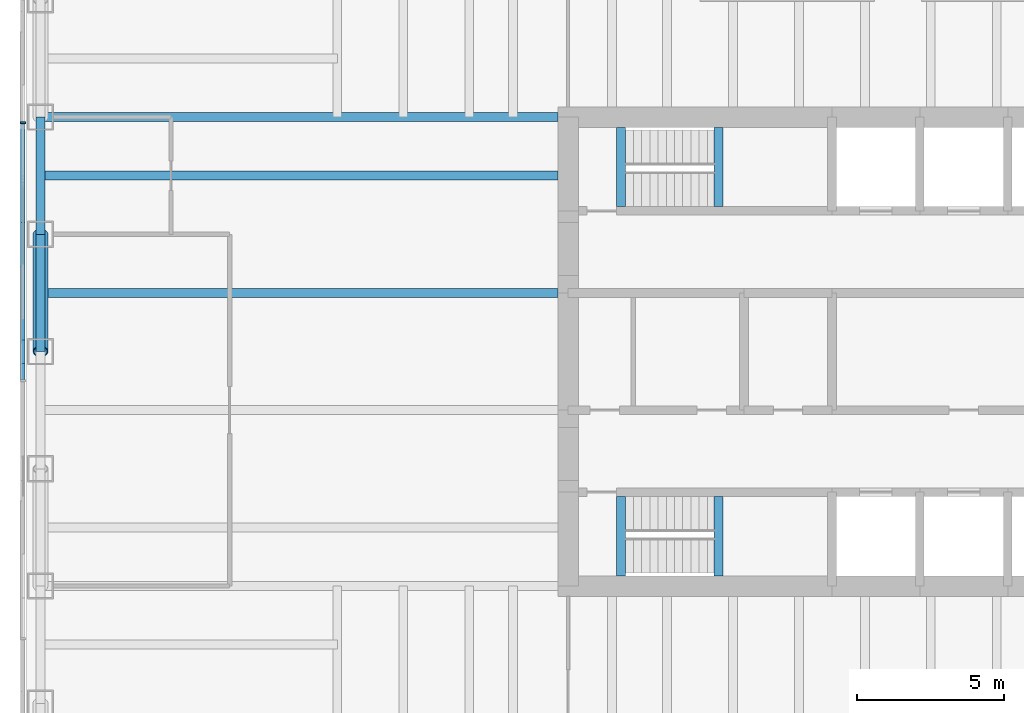
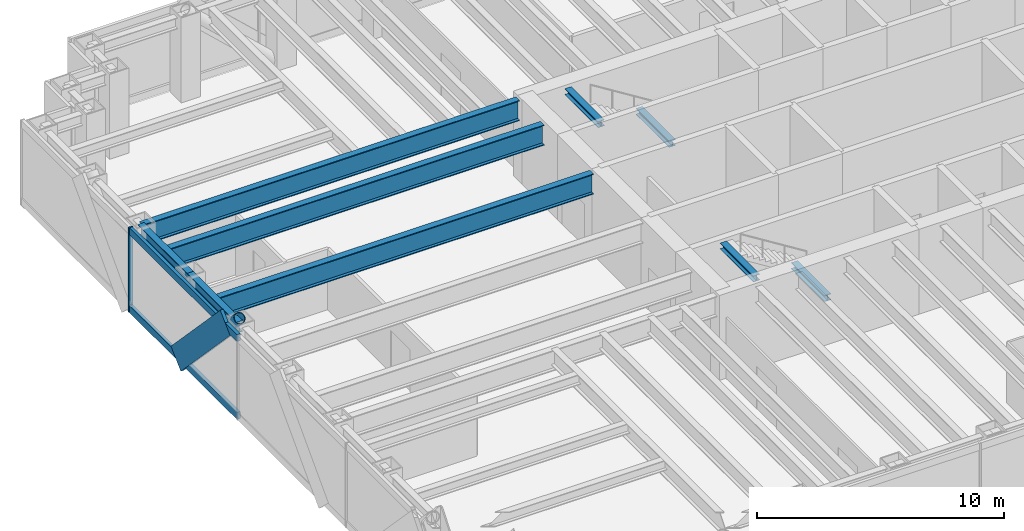
# One storey, part 3 of 15: 9 beams, 5 members, 1 element without a shape of its own.
"""IFC4 building model written with IfcOpenShell, lengths in metres."""

from ifc_helpers import new_model, si_unit, direction, frame, origin, origin_2d, place, context, subcontext, project, spatial, rectangle, hollow_circle, i_section, extrude, material, material_profile, profile_set, type_object, element, aggregate, save


model = new_model("IFC4")

# Units and contexts
model_context = context("Model", 3, precision=1e-05, world=origin(), true_north=direction((0.0, 1.0)))
body_context = subcontext(model_context, "Body", "Model", "MODEL_VIEW")
ifc_project = project(units=[si_unit("LENGTHUNIT", "METRE"), si_unit("AREAUNIT", "SQUARE_METRE"), si_unit("VOLUMEUNIT", "CUBIC_METRE"), si_unit("PLANEANGLEUNIT", "RADIAN"), si_unit("MASSUNIT", "GRAM", prefix="KILO")], contexts=[model_context])

# Site, building, storey
site_placement = place(None, origin())
site = spatial("IfcSite", under=ifc_project, at=site_placement, CompositionType="ELEMENT")
building_placement = place(site_placement, origin())
building = spatial("IfcBuilding", under=site, at=building_placement, Name="Rheinbord Bourse Tower", CompositionType="ELEMENT")
storey_placement = place(building_placement, frame((0.0, 0.0, 325.699951171875)))
storey = spatial("IfcBuildingStorey", under=building, at=storey_placement, Name="L74", CompositionType="ELEMENT", Elevation=325.699951171875)

# Curtain wall, members
ifc_material_1 = material(Name="Dark glass and black aluminium", Category="aluminium")
curtain_wall_type = type_object("IfcCurtainWallType", Name="CW3 DARK GLASS CURTAIN WALL", PredefinedType="USERDEFINED", material=ifc_material_1)
curtain_wall_placement = place(storey_placement, origin())
curtain_wall = element("IfcCurtainWall", 1, at=curtain_wall_placement, inside=storey, type_object=curtain_wall_type, Name="Curtain wall CW3 W L74", ObjectType="UNITISED CURTAIN WALL", PredefinedType="USERDEFINED")
ifc_material_2 = material(Name="Black anodised aluminium", Category="aluminium")
ifc_material_profile_1 = material_profile(ifc_material_2, rectangle(XDim=0.14990234375, YDim=1.10791015625, at=origin_2d()), Name="CW3 DIAGONAL MULLION 1108x150")
ifc_profile_set_1 = profile_set([ifc_material_profile_1], Name="Black anodised aluminium")
member_type_1 = type_object("IfcMemberType", Name="CW3 BLACK DIAGONAL MULLION", PredefinedType="USERDEFINED", material=ifc_profile_set_1)
member_1_placement = place(storey_placement, frame((-0.60009765625, 28.0, 0.0), z_axis=(0.0, -0.689659376744, 0.724133926887), x_axis=(1.0, 0.0, 0.0)))
member_1 = element("IfcMember", 2, at=member_1_placement, type_object=member_type_1, Name="CW3 diagonal mullion b", ObjectType="DIAGONAL MULLION", PredefinedType="USERDEFINED", context=body_context, shape_type="SweptSolid", body=[
    extrude(rectangle(XDim=0.14990234375, YDim=1.10791015625, at=origin_2d()), origin(), (0.0, 0.0, 1.0), 5.800048828125),
])
ifc_material_3 = material(Name="Black anodised aluminium", Category="aluminium")
ifc_material_profile_2 = material_profile(ifc_material_3, rectangle(XDim=0.199951171875, YDim=0.06494140625, at=origin_2d()), Name="CW3 MULLION 65x200")
ifc_profile_set_2 = profile_set([ifc_material_profile_2], Name="Black anodised aluminium")
member_type_2 = type_object("IfcMemberType", Name="CW3 BLACK MULLION", PredefinedType="MULLION", material=ifc_profile_set_2)
member_2_placement = place(storey_placement, frame((-0.60009765625, 31.800048828125, 0.0), z_axis=(0.0, 0.0, 1.0), x_axis=(1.0, 0.0, 0.0)))
member_2 = element("IfcMember", 3, at=member_2_placement, type_object=member_type_2, Name="CW3 mullion 2", PredefinedType="MULLION", context=body_context, shape_type="SweptSolid", body=[
    extrude(rectangle(XDim=0.199951171875, YDim=0.06494140625, at=origin_2d()), origin(), (0.0, 0.0, 1.0), 4.199951171875),
])
ifc_material_4 = material(Name="Black anodised aluminium", Category="aluminium")
ifc_material_profile_3 = material_profile(ifc_material_4, rectangle(XDim=0.14990234375, YDim=0.35009765625, at=origin_2d()), Name="CW3 TRANSOM 350x150")
ifc_profile_set_3 = profile_set([ifc_material_profile_3], Name="Black anodised aluminium")
member_type_3 = type_object("IfcMemberType", Name="CW3 BLACK TRANSOM", PredefinedType="USERDEFINED", material=ifc_profile_set_3)
member_3_placement = place(storey_placement, frame((-0.60009765625, 31.767578125, 0.175048828125), z_axis=(0.0, -1.0, 0.0), x_axis=(1.0, 0.0, 0.0)))
member_3 = element("IfcMember", 4, at=member_3_placement, type_object=member_type_3, Name="CW3 transom 2.1", ObjectType="TRANSOM", PredefinedType="USERDEFINED", context=body_context, shape_type="SweptSolid", body=[
    extrude(rectangle(XDim=0.14990234375, YDim=0.35009765625, at=origin_2d()), origin(), (0.0, 0.0, 1.0), 8.735107421875),
])
member_4_placement = place(storey_placement, frame((-0.60009765625, 31.767578125, 4.025146484375), z_axis=(0.0, -1.0, 0.0), x_axis=(1.0, 0.0, 0.0)))
member_4 = element("IfcMember", 5, at=member_4_placement, type_object=member_type_3, Name="CW3 transom 2.2", ObjectType="TRANSOM", PredefinedType="USERDEFINED", context=body_context, shape_type="SweptSolid", body=[
    extrude(rectangle(XDim=0.14990234375, YDim=0.35009765625, at=origin_2d()), origin(), (0.0, 0.0, 1.0), 8.735107421875),
])
aggregate(curtain_wall, [member_2, member_3, member_4, member_1])

# Beams
ifc_material_5 = material(Name="Steel S460", Category="steel")
ifc_material_profile_4 = material_profile(ifc_material_5, i_section(OverallWidth=0.302001953125, OverallDepth=1.008056640625, WebThickness=0.02099609375, FlangeThickness=0.0400390625, at=origin_2d()), Name="HEM 1000")
ifc_profile_set_4 = profile_set([ifc_material_profile_4], Name="Steel S460")
beam_type_1 = type_object("IfcBeamType", Name="END BEAM HEM 1000", PredefinedType="BEAM", material=ifc_profile_set_4)
for number, where, z_axis, x_axis, name in (
    (6, (0.0, 26.0, 3.5361328125), (1.0, 0.0, 0.0), (0.0, 1.0, 0.0), "End beam west 26 L75"),
    (7, (0.0, 30.0, 3.5361328125), (1.0, 0.0, 0.0), (0.0, 1.0, 0.0), "End beam west 30 L75"),
):
    element("IfcBeam", number, at=place(storey_placement, frame(where, z_axis=z_axis, x_axis=x_axis)), inside=storey, type_object=beam_type_1, Name=name, PredefinedType="BEAM", context=body_context, shape_type="SweptSolid", body=[
        extrude(i_section(OverallWidth=0.302001953125, OverallDepth=1.008056640625, WebThickness=0.02099609375, FlangeThickness=0.0400390625, at=origin_2d()), origin(), (0.0, 0.0, 1.0), 17.64990234375),
    ])
ifc_material_6 = material(Name="Steel S460", Category="steel")
ifc_material_profile_5 = material_profile(ifc_material_6, i_section(OverallWidth=0.302001953125, OverallDepth=1.008056640625, WebThickness=0.02099609375, FlangeThickness=0.0400390625, at=origin_2d()), Name="HEM 1000")
ifc_profile_set_5 = profile_set([ifc_material_profile_5], Name="Steel S460")
beam_type_2 = type_object("IfcBeamType", Name="GIRDER HEM 1000", PredefinedType="BEAM", material=ifc_profile_set_5)
beam_placement = place(storey_placement, frame((0.0, 32.0, 3.5361328125), z_axis=(1.0, 0.0, 0.0), x_axis=(0.0, 1.0, 0.0)))
element("IfcBeam", 8, at=beam_placement, inside=storey, type_object=beam_type_2, Name="Girder west 32 L75", PredefinedType="BEAM", context=body_context, shape_type="SweptSolid", body=[
    extrude(i_section(OverallWidth=0.302001953125, OverallDepth=1.008056640625, WebThickness=0.02099609375, FlangeThickness=0.0400390625, at=origin_2d()), origin(), (0.0, 0.0, 1.0), 17.64990234375),
])
ifc_material_7 = material(Name="Steel S460", Category="steel")
ifc_material_profile_6 = material_profile(ifc_material_7, i_section(OverallWidth=0.300048828125, OverallDepth=0.300048828125, WebThickness=0.010986328125, FlangeThickness=0.01904296875, at=origin_2d()), Name="HEB 300")
ifc_profile_set_6 = profile_set([ifc_material_profile_6], Name="Steel S460")
beam_type_3 = type_object("IfcBeamType", Name="LANDING TRIMMER HEB 300", PredefinedType="BEAM", material=ifc_profile_set_6)
for number, where, z_axis, x_axis, name in (
    (9, (23.1298828125, 16.35009765625, 1.75), (0.0, 1.0, 0.0), (-1.0, 0.0, 0.0), "Landing trimmer ST1 L74"),
    (10, (19.800048828125, 16.35009765625, 3.89013671875), (0.0, 1.0, 0.0), (-1.0, 0.0, 0.0), "Well trimmer ST1 under L75"),
    (11, (23.1298828125, 28.949951171875, 1.75), (0.0, 1.0, 0.0), (-1.0, 0.0, 0.0), "Landing trimmer ST2 L74"),
    (12, (19.800048828125, 28.949951171875, 3.89013671875), (0.0, 1.0, 0.0), (-1.0, 0.0, 0.0), "Well trimmer ST2 under L75"),
):
    element("IfcBeam", number, at=place(storey_placement, frame(where, z_axis=z_axis, x_axis=x_axis)), inside=storey, type_object=beam_type_3, Name=name, PredefinedType="BEAM", context=body_context, shape_type="SweptSolid", body=[
        extrude(i_section(OverallWidth=0.300048828125, OverallDepth=0.300048828125, WebThickness=0.010986328125, FlangeThickness=0.01904296875, at=origin_2d()), origin(), (0.0, 0.0, 1.0), 2.699951171875),
    ])

# Member
ifc_material_8 = material(Name="Steel S460", Category="steel")
ifc_material_profile_7 = material_profile(ifc_material_8, hollow_circle(Radius=0.25390625, WallThickness=0.030029296875, at=origin_2d()), Name="CHS 508x30")
ifc_profile_set_7 = profile_set([ifc_material_profile_7], Name="Steel S460")
member_type_4 = type_object("IfcMemberType", Name="MEGABRACE CHS 508x30", PredefinedType="BRACE", material=ifc_profile_set_7)
member_5_placement = place(storey_placement, frame((0.0, 28.0, 0.0), z_axis=(0.0, -0.689659376744, 0.724133926887), x_axis=(1.0, 0.0, 0.0)))
element("IfcMember", 13, at=member_5_placement, inside=storey, type_object=member_type_4, Name="Megabrace W face line b L74", PredefinedType="BRACE", context=body_context, shape_type="SweptSolid", body=[
    extrude(hollow_circle(Radius=0.25390625, WallThickness=0.030029296875, at=origin_2d()), origin(), (0.0, 0.0, 1.0), 5.800048828125),
])

# Beams
ifc_material_9 = material(Name="Steel S460", Category="steel")
ifc_material_profile_8 = material_profile(ifc_material_9, i_section(OverallWidth=0.300048828125, OverallDepth=0.550048828125, WebThickness=0.014892578125, FlangeThickness=0.029052734375, at=origin_2d()), Name="HEB 550")
ifc_profile_set_8 = profile_set([ifc_material_profile_8], Name="Steel S460")
beam_type_4 = type_object("IfcBeamType", Name="SPANDREL HEB 550", PredefinedType="SPANDREL", material=ifc_profile_set_8)
for number, where, z_axis, x_axis, name in (
    (14, (0.0, 32.0, 3.76513671875), (0.0, -1.0, 0.0), (1.0, 0.0, 0.0), "Spandrel W-32-W-28 under L75"),
    (15, (0.0, 28.0, 3.76513671875), (0.0, -1.0, 0.0), (1.0, 0.0, 0.0), "Spandrel W-28-W-24 under L75"),
):
    element("IfcBeam", number, at=place(storey_placement, frame(where, z_axis=z_axis, x_axis=x_axis)), inside=storey, type_object=beam_type_4, Name=name, PredefinedType="SPANDREL", context=body_context, shape_type="SweptSolid", body=[
        extrude(i_section(OverallWidth=0.300048828125, OverallDepth=0.550048828125, WebThickness=0.014892578125, FlangeThickness=0.029052734375, at=origin_2d()), origin(), (0.0, 0.0, 1.0), 4.0),
    ])

save(model, "model.ifc")
